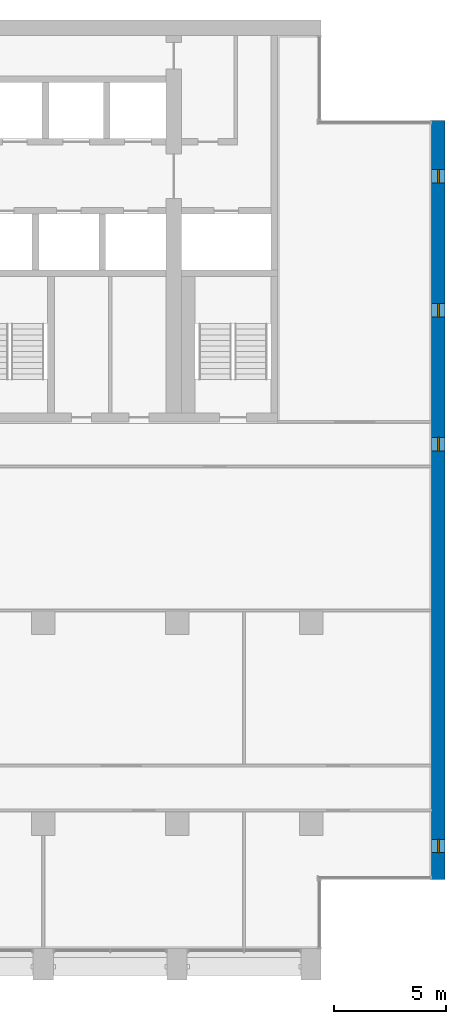
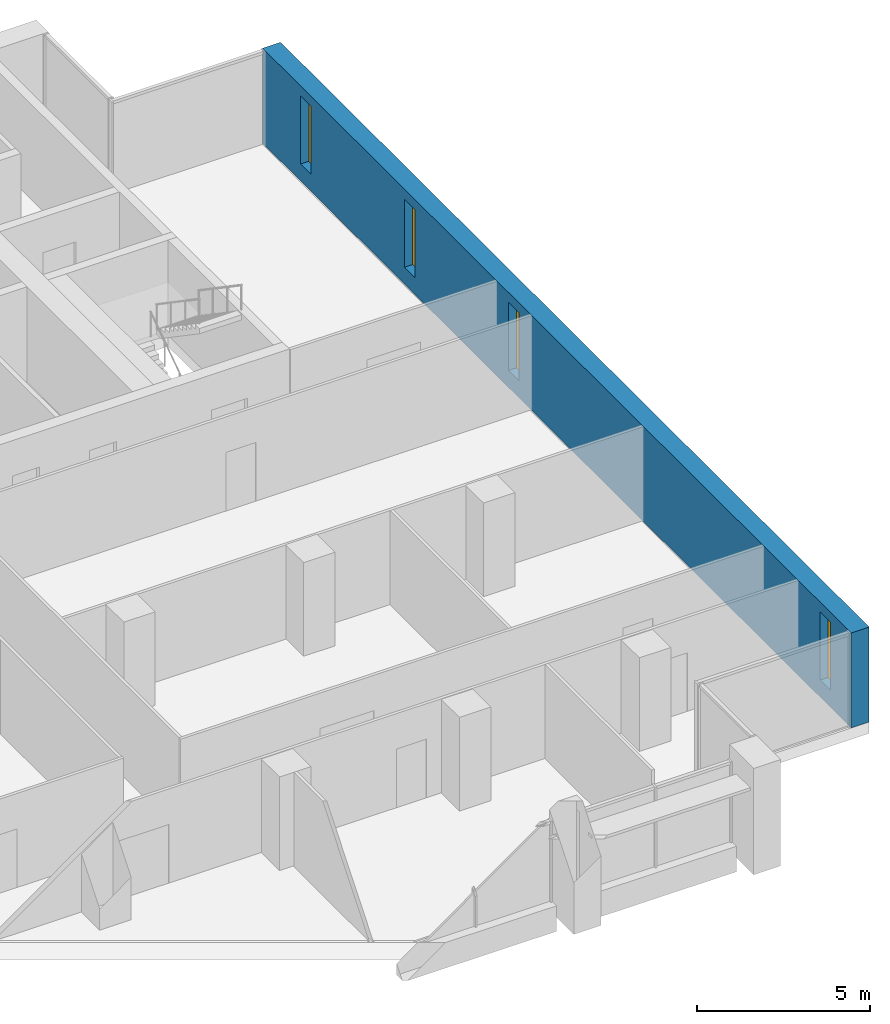
# One storey, part 12 of 17: 4 windows, 1 wall, 4 openings.
"""IFC4 building model written with IfcOpenShell, lengths in metres."""

from ifc_helpers import new_model, si_unit, direction, frame, frame_2d, origin, place, context, subcontext, project, spatial, rectangle, extrude, material, layer, layer_set, type_object, element, fill, save


model = new_model("IFC4")

# Units and contexts
model_context = context("Model", 3, precision=1e-05, world=origin(), true_north=direction((0.0, 1.0)))
body_context = subcontext(model_context, "Body", "Model", "MODEL_VIEW")
ifc_project = project(units=[si_unit("LENGTHUNIT", "METRE"), si_unit("AREAUNIT", "SQUARE_METRE"), si_unit("VOLUMEUNIT", "CUBIC_METRE"), si_unit("PLANEANGLEUNIT", "RADIAN"), si_unit("MASSUNIT", "GRAM", prefix="KILO")], contexts=[model_context])

# Site, building, storey
site_placement = place(None, origin())
site = spatial("IfcSite", under=ifc_project, at=site_placement, CompositionType="ELEMENT")
building_placement = place(site_placement, origin())
building = spatial("IfcBuilding", under=site, at=building_placement, Name="Calvaro Tower", CompositionType="ELEMENT")
storey_placement = place(building_placement, frame((0.0, 0.0, 200.5)))
storey = spatial("IfcBuildingStorey", under=building, at=storey_placement, Name="L50", CompositionType="ELEMENT", Elevation=200.5)

# Wall, openings, windows
ifc_material_1 = material(Name="Concrete C50/60", Category="concrete")
ifc_layer = layer(ifc_material_1, 0.60009765625)
ifc_layer_set = layer_set([ifc_layer], Name="Concrete C50/60")
wall_type = type_object("IfcWallType", Name="End wall 600 C50/60", PredefinedType="SHEAR", material=ifc_layer_set)
wall_placement = place(storey_placement, frame((71.699951171875, 7.5, 0.0), z_axis=(0.0, 0.0, 1.0), x_axis=(0.0, 1.0, 0.0)))
wall = element("IfcWall", 1, at=wall_placement, inside=storey, type_object=wall_type, Name="End shear wall", PredefinedType="SHEAR", context=body_context, shape_type="SweptSolid", body=[
    extrude(rectangle(XDim=34.0, YDim=0.60009765625, at=frame_2d((17.0, 0.0))), origin(), (0.0, 0.0, 1.0), 3.35009765625),
])
opening_1_placement = place(wall_placement, frame((1.199951171875, 0.0, 0.60009765625)))
opening_1 = element("IfcOpeningElement", 2, at=opening_1_placement, cuts=wall, Name="Opening WE01", PredefinedType="OPENING", context=body_context, shape_type="SweptSolid", body=[
    extrude(rectangle(XDim=0.60009765625, YDim=2.39990234375, at=frame_2d((0.300048828125, 1.199951171875))), frame((0.0, 0.31005859375, 0.0), z_axis=(0.0, -1.0, 0.0), x_axis=(1.0, 0.0, 0.0)), (0.0, 0.0, 1.0), 0.6201171875),
])
opening_2_placement = place(wall_placement, frame((19.199951171875, 0.0, 0.60009765625)))
opening_2 = element("IfcOpeningElement", 3, at=opening_2_placement, cuts=wall, Name="Opening WE04", PredefinedType="OPENING", context=body_context, shape_type="SweptSolid", body=[
    extrude(rectangle(XDim=0.60009765625, YDim=2.39990234375, at=frame_2d((0.300048828125, 1.199951171875))), frame((0.0, 0.31005859375, 0.0), z_axis=(0.0, -1.0, 0.0), x_axis=(1.0, 0.0, 0.0)), (0.0, 0.0, 1.0), 0.6201171875),
])
opening_3_placement = place(wall_placement, frame((25.199951171875, 0.0, 0.60009765625)))
opening_3 = element("IfcOpeningElement", 4, at=opening_3_placement, cuts=wall, Name="Opening WE05", PredefinedType="OPENING", context=body_context, shape_type="SweptSolid", body=[
    extrude(rectangle(XDim=0.60009765625, YDim=2.39990234375, at=frame_2d((0.300048828125, 1.199951171875))), frame((0.0, 0.31005859375, 0.0), z_axis=(0.0, -1.0, 0.0), x_axis=(1.0, 0.0, 0.0)), (0.0, 0.0, 1.0), 0.6201171875),
])
opening_4_placement = place(wall_placement, frame((31.199951171875, 0.0, 0.60009765625)))
opening_4 = element("IfcOpeningElement", 5, at=opening_4_placement, cuts=wall, Name="Opening WE06", PredefinedType="OPENING", context=body_context, shape_type="SweptSolid", body=[
    extrude(rectangle(XDim=0.60009765625, YDim=2.39990234375, at=frame_2d((0.300048828125, 1.199951171875))), frame((0.0, 0.31005859375, 0.0), z_axis=(0.0, -1.0, 0.0), x_axis=(1.0, 0.0, 0.0)), (0.0, 0.0, 1.0), 0.6201171875),
])
ifc_material_2 = material(Name="Glass", Category="glass")
window_type = type_object("IfcWindowType", Name="Slit window 600 x 2400", PartitioningType="SINGLE_PANEL", PredefinedType="WINDOW", material=ifc_material_2)
window_1_placement = place(opening_1_placement, origin())
window_1 = element("IfcWindow", 6, at=window_1_placement, inside=storey, type_object=window_type, Name="Window WE01", OverallHeight=2.39990234375, OverallWidth=0.60009765625, PartitioningType="SINGLE_PANEL", PredefinedType="WINDOW", context=body_context, shape_type="SweptSolid", body=[
    extrude(rectangle(XDim=0.60009765625, YDim=2.39990234375, at=frame_2d((0.300048828125, 1.199951171875))), frame((0.0, 0.030029296875, 0.0), z_axis=(0.0, -1.0, 0.0), x_axis=(1.0, 0.0, 0.0)), (0.0, 0.0, 1.0), 0.06005859375),
])
fill(opening_1, window_1)
window_2_placement = place(opening_2_placement, origin())
window_2 = element("IfcWindow", 7, at=window_2_placement, inside=storey, type_object=window_type, Name="Window WE04", OverallHeight=2.39990234375, OverallWidth=0.60009765625, PartitioningType="SINGLE_PANEL", PredefinedType="WINDOW", context=body_context, shape_type="SweptSolid", body=[
    extrude(rectangle(XDim=0.60009765625, YDim=2.39990234375, at=frame_2d((0.300048828125, 1.199951171875))), frame((0.0, 0.030029296875, 0.0), z_axis=(0.0, -1.0, 0.0), x_axis=(1.0, 0.0, 0.0)), (0.0, 0.0, 1.0), 0.06005859375),
])
fill(opening_2, window_2)
window_3_placement = place(opening_3_placement, origin())
window_3 = element("IfcWindow", 8, at=window_3_placement, inside=storey, type_object=window_type, Name="Window WE05", OverallHeight=2.39990234375, OverallWidth=0.60009765625, PartitioningType="SINGLE_PANEL", PredefinedType="WINDOW", context=body_context, shape_type="SweptSolid", body=[
    extrude(rectangle(XDim=0.60009765625, YDim=2.39990234375, at=frame_2d((0.300048828125, 1.199951171875))), frame((0.0, 0.030029296875, 0.0), z_axis=(0.0, -1.0, 0.0), x_axis=(1.0, 0.0, 0.0)), (0.0, 0.0, 1.0), 0.06005859375),
])
fill(opening_3, window_3)
window_4_placement = place(opening_4_placement, origin())
window_4 = element("IfcWindow", 9, at=window_4_placement, inside=storey, type_object=window_type, Name="Window WE06", OverallHeight=2.39990234375, OverallWidth=0.60009765625, PartitioningType="SINGLE_PANEL", PredefinedType="WINDOW", context=body_context, shape_type="SweptSolid", body=[
    extrude(rectangle(XDim=0.60009765625, YDim=2.39990234375, at=frame_2d((0.300048828125, 1.199951171875))), frame((0.0, 0.030029296875, 0.0), z_axis=(0.0, -1.0, 0.0), x_axis=(1.0, 0.0, 0.0)), (0.0, 0.0, 1.0), 0.06005859375),
])
fill(opening_4, window_4)

save(model, "model.ifc")
